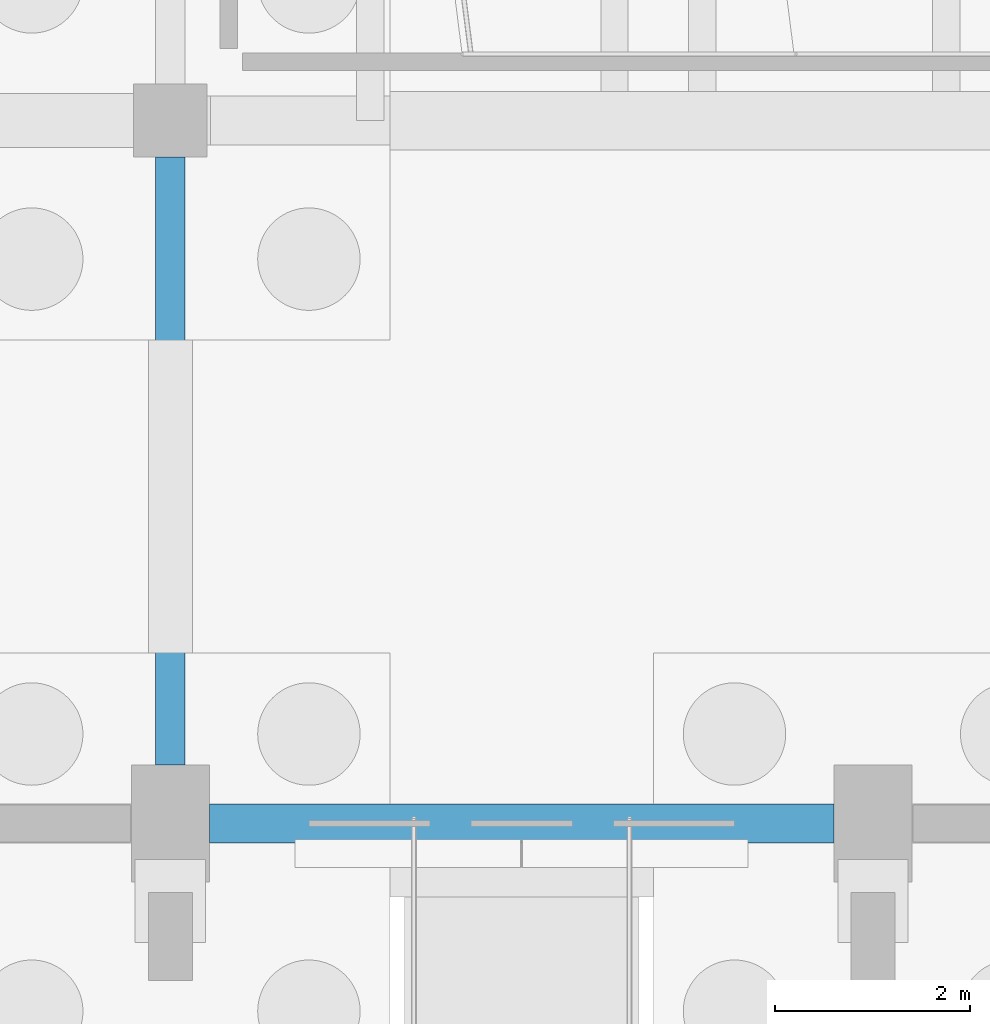
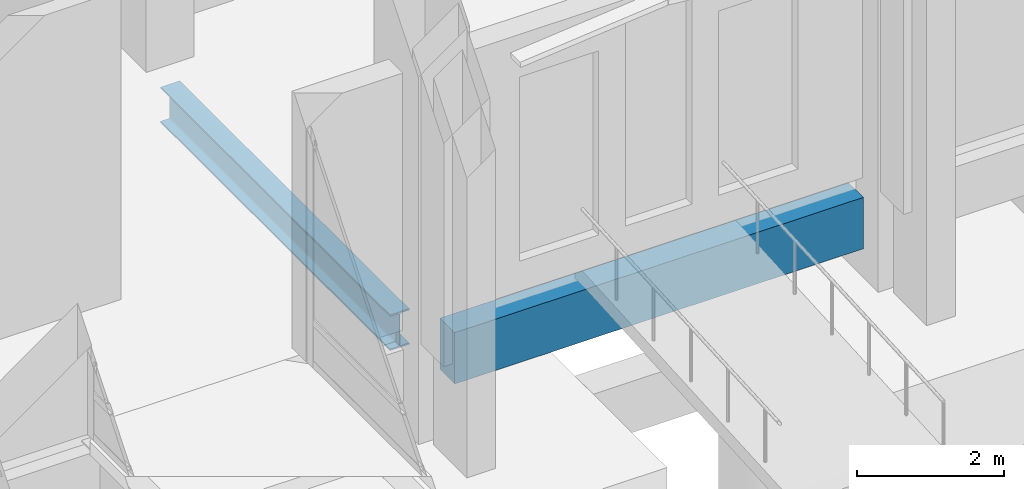
# One storey, part 90 of 192: 2 beams.
"""IFC4 building model written with IfcOpenShell, lengths in metres."""

from ifc_helpers import new_model, si_unit, direction, frame, origin, origin_2d, place, context, subcontext, project, spatial, rectangle, i_section, extrude, material, material_profile, profile_set, type_object, element, save


model = new_model("IFC4")

# Units and contexts
model_context = context("Model", 3, precision=1e-05, world=origin(), true_north=direction((0.0, 1.0)))
body_context = subcontext(model_context, "Body", "Model", "MODEL_VIEW")
ifc_project = project(units=[si_unit("LENGTHUNIT", "METRE"), si_unit("AREAUNIT", "SQUARE_METRE"), si_unit("VOLUMEUNIT", "CUBIC_METRE"), si_unit("PLANEANGLEUNIT", "RADIAN"), si_unit("MASSUNIT", "GRAM", prefix="KILO")], contexts=[model_context])

# Site, building, storey
site_placement = place(None, origin())
site = spatial("IfcSite", under=ifc_project, at=site_placement, CompositionType="ELEMENT")
building_placement = place(site_placement, origin())
building = spatial("IfcBuilding", under=site, at=building_placement, Name="Cendralis Lancet Convention Centre", CompositionType="ELEMENT")
storey_placement = place(building_placement, origin())
storey = spatial("IfcBuildingStorey", under=building, at=storey_placement, Name="L00", CompositionType="ELEMENT", Elevation=0.0)

# Beams
ifc_material_1 = material(Name="Steel S355", Category="steel")
ifc_material_profile_1 = material_profile(ifc_material_1, i_section(OverallWidth=0.300048828125, OverallDepth=0.590087890625, WebThickness=0.012939453125, FlangeThickness=0.02490234375, FilletRadius=0.027099609375, at=origin_2d()), Name="HEA 600")
ifc_profile_set_1 = profile_set([ifc_material_profile_1], Name="Steel S355")
beam_type_1 = type_object("IfcBeamType", Name="STR-BM-SG10", PredefinedType="BEAM", material=ifc_profile_set_1)
beam_1_placement = place(storey_placement, frame((153.60009765625, 43.800048828125, -0.614990234375), z_axis=(0.0, 1.0, 0.0), x_axis=(-1.0, 0.0, 0.0)))
element("IfcBeam", 1, at=beam_1_placement, inside=storey, type_object=beam_type_1, Name="L00 Beam SG10 #1372", PredefinedType="BEAM", context=body_context, shape_type="SweptSolid", body=[
    extrude(i_section(OverallWidth=0.300048828125, OverallDepth=0.590087890625, WebThickness=0.012939453125, FlangeThickness=0.02490234375, FilletRadius=0.027099609375, at=origin_2d()), origin(), (0.0, 0.0, 1.0), 6.224853515625),
])
ifc_material_2 = material(Name="Concrete G40 (C40/50)", Category="concrete")
ifc_material_profile_2 = material_profile(ifc_material_2, rectangle(XDim=0.39990234375, YDim=0.85009765625, at=origin_2d()), Name="RCB 400x850")
ifc_profile_set_2 = profile_set([ifc_material_profile_2], Name="Concrete G40 (C40/50)")
beam_type_2 = type_object("IfcBeamType", Name="STR-SP-SP02", PredefinedType="SPANDREL", material=ifc_profile_set_2)
beam_2_placement = place(storey_placement, frame((154.0, 43.199951171875, -0.7451171875), z_axis=(1.0, 0.0, 0.0), x_axis=(0.0, 1.0, 0.0)))
element("IfcBeam", 2, at=beam_2_placement, inside=storey, type_object=beam_type_2, Name="L00 Beam SP02 #1339", PredefinedType="SPANDREL", context=body_context, shape_type="SweptSolid", body=[
    extrude(rectangle(XDim=0.39990234375, YDim=0.85009765625, at=origin_2d()), origin(), (0.0, 0.0, 1.0), 6.39990234375),
])

save(model, "model.ifc")
